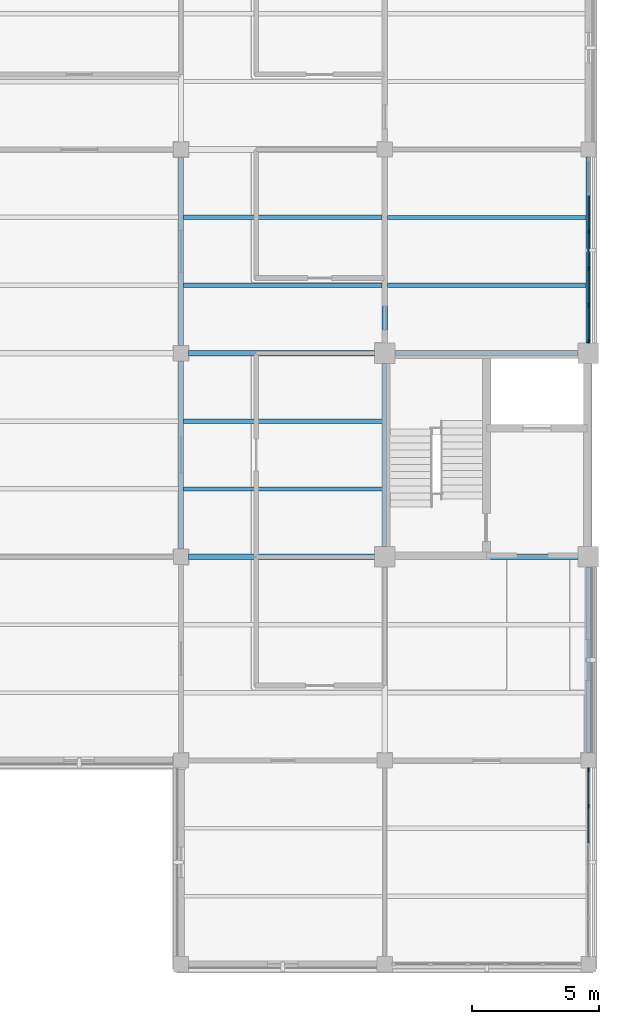
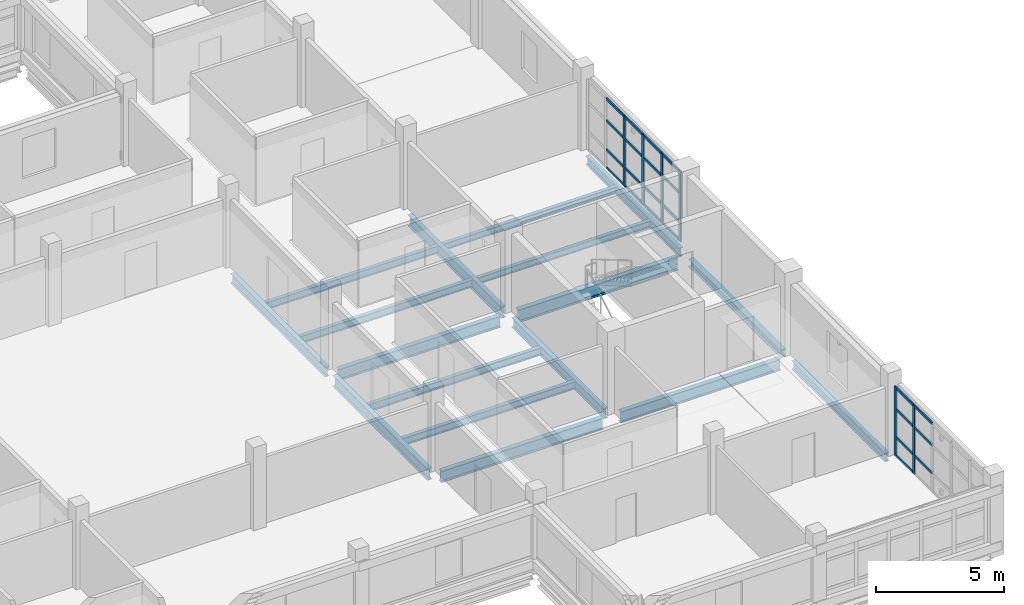
# One storey, part 48 of 126: 29 members, 17 beams, 2 elements without a shape of their own.
"""IFC4 building model written with IfcOpenShell, lengths in metres."""

from ifc_helpers import new_model, si_unit, derived_unit, direction, frame, origin, origin_2d, place, context, subcontext, project, spatial, rectangle, i_section, extrude, material, layer, layer_set, material_profile, profile_set, type_object, element, aggregate, save


model = new_model("IFC4")

# Units and contexts
model_context = context("Model", 3, precision=1e-05, world=origin(), true_north=direction((0.0, 1.0)))
body_context = subcontext(model_context, "Body", "Model", "MODEL_VIEW")
ifc_project = project(units=[si_unit("LENGTHUNIT", "METRE"), si_unit("AREAUNIT", "SQUARE_METRE"), si_unit("VOLUMEUNIT", "CUBIC_METRE"), si_unit("PLANEANGLEUNIT", "RADIAN"), si_unit("MASSUNIT", "GRAM", prefix="KILO"), derived_unit("THERMALTRANSMITTANCEUNIT", [(si_unit("MASSUNIT", "GRAM", prefix="KILO"), 1), (si_unit("TIMEUNIT", "SECOND"), -3), (si_unit("THERMODYNAMICTEMPERATUREUNIT", "KELVIN"), -1)])], contexts=[model_context])

# Site, building, storey
site_placement = place(None, origin())
site = spatial("IfcSite", under=ifc_project, at=site_placement, CompositionType="ELEMENT")
building_placement = place(site_placement, origin())
building = spatial("IfcBuilding", under=site, at=building_placement, Name="Veyamyaing Civic Hall", CompositionType="ELEMENT")
storey_placement = place(building_placement, frame((0.0, 0.0, 9.89990234375)))
storey = spatial("IfcBuildingStorey", under=building, at=storey_placement, Name="L02", CompositionType="ELEMENT", Elevation=9.89990234375)

# Beams
ifc_material_1 = material(Name="Steel ASTM A992", Category="steel")
ifc_material_profile_1 = material_profile(ifc_material_1, i_section(OverallWidth=0.22802734375, OverallDepth=0.60791015625, WebThickness=0.01123046875, FlangeThickness=0.017333984375, FilletRadius=0.012939453125, at=origin_2d()), Name="W610X113")
ifc_profile_set_1 = profile_set([ifc_material_profile_1], Name="Steel ASTM A992")
beam_type_1 = type_object("IfcBeamType", Name="B-06", PredefinedType="BEAM", material=ifc_profile_set_1)
beam_1_placement = place(storey_placement, frame((168.39990234375, 24.0, -0.5888671875), z_axis=(1.0, 0.0, 0.0), x_axis=(0.0, 1.0, 0.0)))
element("IfcBeam", 1, at=beam_1_placement, inside=storey, type_object=beam_type_1, Name="Girder B-06 L02 Grid D 22-23", PredefinedType="BEAM", context=body_context, shape_type="SweptSolid", body=[
    extrude(i_section(OverallWidth=0.22802734375, OverallDepth=0.60791015625, WebThickness=0.01123046875, FlangeThickness=0.017333984375, FilletRadius=0.012939453125, at=origin_2d()), origin(), (0.0, 0.0, 1.0), 7.2001953125),
])
ifc_material_profile_2 = material_profile(ifc_material_1, i_section(OverallWidth=0.208984375, OverallDepth=0.532958984375, WebThickness=0.01025390625, FlangeThickness=0.015625, FilletRadius=0.011962890625, at=origin_2d()), Name="W530X92")
ifc_profile_set_2 = profile_set([ifc_material_profile_2], Name="Steel ASTM A992")
beam_type_2 = type_object("IfcBeamType", Name="B-07", PredefinedType="BEAM", material=ifc_profile_set_2)
beam_2_placement = place(storey_placement, frame((168.0, 24.39990234375, -0.551513671875), z_axis=(0.0, 1.0, 0.0), x_axis=(-1.0, 0.0, 0.0)))
element("IfcBeam", 2, at=beam_2_placement, inside=storey, type_object=beam_type_2, Name="Girder B-07 L02 Grid 22 D-E", PredefinedType="BEAM", context=body_context, shape_type="SweptSolid", body=[
    extrude(i_section(OverallWidth=0.208984375, OverallDepth=0.532958984375, WebThickness=0.01025390625, FlangeThickness=0.015625, FilletRadius=0.011962890625, at=origin_2d()), origin(), (0.0, 0.0, 1.0), 7.300048828125),
])
ifc_material_profile_3 = material_profile(ifc_material_1, i_section(OverallWidth=0.179931640625, OverallDepth=0.4130859375, WebThickness=0.009765625, FlangeThickness=0.01611328125, FilletRadius=0.010009765625, at=origin_2d()), Name="W410X74")
ifc_profile_set_3 = profile_set([ifc_material_profile_3], Name="Steel ASTM A992")
beam_type_3 = type_object("IfcBeamType", Name="B-10", PredefinedType="SPANDREL", material=ifc_profile_set_3)
beam_3_placement = place(storey_placement, frame((176.0, 24.39990234375, -0.491455078125), z_axis=(0.0, 1.0, 0.0), x_axis=(-1.0, 0.0, 0.0)))
element("IfcBeam", 3, at=beam_3_placement, inside=storey, type_object=beam_type_3, Name="Girder B-10 L02 Grid 23 D-E", PredefinedType="SPANDREL", context=body_context, shape_type="SweptSolid", body=[
    extrude(i_section(OverallWidth=0.179931640625, OverallDepth=0.4130859375, WebThickness=0.009765625, FlangeThickness=0.01611328125, FilletRadius=0.010009765625, at=origin_2d()), origin(), (0.0, 0.0, 1.0), 7.300048828125),
])
ifc_material_profile_4 = material_profile(ifc_material_1, i_section(OverallWidth=0.214111328125, OverallDepth=0.549072265625, WebThickness=0.0146484375, FlangeThickness=0.023681640625, FilletRadius=0.011962890625, at=origin_2d()), Name="W530X138")
ifc_profile_set_4 = profile_set([ifc_material_profile_4], Name="Steel ASTM A992")
beam_type_4 = type_object("IfcBeamType", Name="B-16", PredefinedType="BEAM", material=ifc_profile_set_4)
beam_4_placement = place(storey_placement, frame((160.300048828125, 16.0, -0.559326171875), z_axis=(1.0, 0.0, 0.0), x_axis=(0.0, 1.0, 0.0)))
element("IfcBeam", 4, at=beam_4_placement, inside=storey, type_object=beam_type_4, Name="Girder B-16 L02 Grid C 21-22", PredefinedType="BEAM", context=body_context, shape_type="SweptSolid", body=[
    extrude(i_section(OverallWidth=0.214111328125, OverallDepth=0.549072265625, WebThickness=0.0146484375, FlangeThickness=0.023681640625, FilletRadius=0.011962890625, at=origin_2d()), origin(), (0.0, 0.0, 1.0), 7.300048828125),
])
ifc_material_profile_5 = material_profile(ifc_material_1, i_section(OverallWidth=0.2109375, OverallDepth=0.5390625, WebThickness=0.01171875, FlangeThickness=0.018798828125, FilletRadius=0.011962890625, at=origin_2d()), Name="W530X109")
ifc_profile_set_5 = profile_set([ifc_material_profile_5], Name="Steel ASTM A992")
beam_type_5 = type_object("IfcBeamType", Name="B-17", PredefinedType="BEAM", material=ifc_profile_set_5)
beam_5_placement = place(storey_placement, frame((168.39990234375, 16.0, -0.554443359375), z_axis=(1.0, 0.0, 0.0), x_axis=(0.0, 1.0, 0.0)))
element("IfcBeam", 5, at=beam_5_placement, inside=storey, type_object=beam_type_5, Name="Girder B-17 L02 Grid C 22-23", PredefinedType="BEAM", context=body_context, shape_type="SweptSolid", body=[
    extrude(i_section(OverallWidth=0.2109375, OverallDepth=0.5390625, WebThickness=0.01171875, FlangeThickness=0.018798828125, FilletRadius=0.011962890625, at=origin_2d()), origin(), (0.0, 0.0, 1.0), 7.2001953125),
])
beam_6_placement = place(storey_placement, frame((160.300048828125, 24.0, -0.554443359375), z_axis=(1.0, 0.0, 0.0), x_axis=(0.0, 1.0, 0.0)))
element("IfcBeam", 6, at=beam_6_placement, inside=storey, type_object=beam_type_5, Name="Girder B-17 L02 Grid D 21-22", PredefinedType="BEAM", context=body_context, shape_type="SweptSolid", body=[
    extrude(i_section(OverallWidth=0.2109375, OverallDepth=0.5390625, WebThickness=0.01171875, FlangeThickness=0.018798828125, FilletRadius=0.011962890625, at=origin_2d()), origin(), (0.0, 0.0, 1.0), 7.300048828125),
])
beam_7_placement = place(storey_placement, frame((160.0, 16.300048828125, -0.554443359375), z_axis=(0.0, 1.0, 0.0), x_axis=(-1.0, 0.0, 0.0)))
element("IfcBeam", 7, at=beam_7_placement, inside=storey, type_object=beam_type_5, Name="Girder B-17 L02 Grid 21 C-D", PredefinedType="BEAM", context=body_context, shape_type="SweptSolid", body=[
    extrude(i_section(OverallWidth=0.2109375, OverallDepth=0.5390625, WebThickness=0.01171875, FlangeThickness=0.018798828125, FilletRadius=0.011962890625, at=origin_2d()), origin(), (0.0, 0.0, 1.0), 7.39990234375),
])
ifc_material_profile_6 = material_profile(ifc_material_1, i_section(OverallWidth=0.194091796875, OverallDepth=0.468994140625, WebThickness=0.0126953125, FlangeThickness=0.0205078125, FilletRadius=0.010009765625, at=origin_2d()), Name="W460X106")
ifc_profile_set_6 = profile_set([ifc_material_profile_6], Name="Steel ASTM A992")
beam_type_6 = type_object("IfcBeamType", Name="B-18", PredefinedType="BEAM", material=ifc_profile_set_6)
beam_8_placement = place(storey_placement, frame((160.0, 24.300048828125, -0.519287109375), z_axis=(0.0, 1.0, 0.0), x_axis=(-1.0, 0.0, 0.0)))
element("IfcBeam", 8, at=beam_8_placement, inside=storey, type_object=beam_type_6, Name="Girder B-18 L02 Grid 21 D-E", PredefinedType="BEAM", context=body_context, shape_type="SweptSolid", body=[
    extrude(i_section(OverallWidth=0.194091796875, OverallDepth=0.468994140625, WebThickness=0.0126953125, FlangeThickness=0.0205078125, FilletRadius=0.010009765625, at=origin_2d()), origin(), (0.0, 0.0, 1.0), 7.39990234375),
])
beam_9_placement = place(storey_placement, frame((168.0, 16.39990234375, -0.519287109375), z_axis=(0.0, 1.0, 0.0), x_axis=(-1.0, 0.0, 0.0)))
element("IfcBeam", 9, at=beam_9_placement, inside=storey, type_object=beam_type_6, Name="Girder B-18 L02 Grid 22 C-D", PredefinedType="BEAM", context=body_context, shape_type="SweptSolid", body=[
    extrude(i_section(OverallWidth=0.194091796875, OverallDepth=0.468994140625, WebThickness=0.0126953125, FlangeThickness=0.0205078125, FilletRadius=0.010009765625, at=origin_2d()), origin(), (0.0, 0.0, 1.0), 7.2001953125),
])
ifc_material_profile_7 = material_profile(ifc_material_1, i_section(OverallWidth=0.180908203125, OverallDepth=0.4169921875, WebThickness=0.010986328125, FlangeThickness=0.018310546875, FilletRadius=0.010009765625, at=origin_2d()), Name="W410X85")
ifc_profile_set_7 = profile_set([ifc_material_profile_7], Name="Steel ASTM A992")
beam_type_7 = type_object("IfcBeamType", Name="B-19", PredefinedType="SPANDREL", material=ifc_profile_set_7)
beam_10_placement = place(storey_placement, frame((176.0, 8.300048828125, -0.493408203125), z_axis=(0.0, 1.0, 0.0), x_axis=(-1.0, 0.0, 0.0)))
element("IfcBeam", 10, at=beam_10_placement, inside=storey, type_object=beam_type_7, Name="Girder B-19 L02 Grid 23 B-C", PredefinedType="SPANDREL", context=body_context, shape_type="SweptSolid", body=[
    extrude(i_section(OverallWidth=0.180908203125, OverallDepth=0.4169921875, WebThickness=0.010986328125, FlangeThickness=0.018310546875, FilletRadius=0.010009765625, at=origin_2d()), origin(), (0.0, 0.0, 1.0), 7.300048828125),
])
ifc_material_profile_8 = material_profile(ifc_material_1, i_section(OverallWidth=0.25390625, OverallDepth=0.35302734375, WebThickness=0.009521484375, FlangeThickness=0.016357421875, FilletRadius=0.011962890625, at=origin_2d()), Name="W360X91")
ifc_profile_set_8 = profile_set([ifc_material_profile_8], Name="Steel ASTM A992")
beam_type_8 = type_object("IfcBeamType", Name="B-20", PredefinedType="SPANDREL", material=ifc_profile_set_8)
beam_11_placement = place(storey_placement, frame((176.0, 16.39990234375, -0.46142578125), z_axis=(0.0, 1.0, 0.0), x_axis=(-1.0, 0.0, 0.0)))
element("IfcBeam", 11, at=beam_11_placement, inside=storey, type_object=beam_type_8, Name="Girder B-20 L02 Grid 23 C-D", PredefinedType="SPANDREL", context=body_context, shape_type="SweptSolid", body=[
    extrude(i_section(OverallWidth=0.25390625, OverallDepth=0.35302734375, WebThickness=0.009521484375, FlangeThickness=0.016357421875, FilletRadius=0.011962890625, at=origin_2d()), origin(), (0.0, 0.0, 1.0), 7.2001953125),
])

# Curtain wall, members
ifc_material_2 = material(Name="Anodised aluminium 6063-T6", Category="aluminium")
ifc_layer = layer(ifc_material_2, 0.159912109375, Name="Anodised aluminium 6063-T6")
ifc_layer_set = layer_set([ifc_layer], Name="Anodised aluminium 6063-T6")
curtain_wall_type = type_object("IfcCurtainWallType", Name="CW-03", PredefinedType="NOTDEFINED", material=ifc_layer_set)
curtain_wall_1_placement = place(storey_placement, origin())
curtain_wall_1 = element("IfcCurtainWall", 12, at=curtain_wall_1_placement, inside=storey, type_object=curtain_wall_type, Name="Unitized curtain wall CW-03 L02 E 22.1", PredefinedType="NOTDEFINED")
ifc_material_profile_9 = material_profile(ifc_material_2, rectangle(XDim=0.06494140625, YDim=0.159912109375, at=origin_2d()), Name="ALU-MUL-65X160")
ifc_profile_set_9 = profile_set([ifc_material_profile_9], Name="Anodised aluminium 6063-T6")
member_type_1 = type_object("IfcMemberType", Name="CWM-01", PredefinedType="MULLION", material=ifc_profile_set_9)
member_1_placement = place(storey_placement, frame((176.0, 6.201904296875, 0.0), z_axis=(0.0, 0.0, 1.0), x_axis=(-1.0, 0.0, 0.0)))
member_1 = element("IfcMember", 13, at=member_1_placement, type_object=member_type_1, Name="CW-03 mullion 5", PredefinedType="MULLION", context=body_context, shape_type="SweptSolid", body=[
    extrude(rectangle(XDim=0.06494140625, YDim=0.159912109375, at=origin_2d()), origin(), (0.0, 0.0, 1.0), 3.280029296875),
])
member_2_placement = place(storey_placement, frame((176.0, 7.637451171875, 0.0), z_axis=(0.0, 0.0, 1.0), x_axis=(-1.0, 0.0, 0.0)))
member_2 = element("IfcMember", 14, at=member_2_placement, type_object=member_type_1, Name="CW-03 mullion 6", PredefinedType="MULLION", context=body_context, shape_type="SweptSolid", body=[
    extrude(rectangle(XDim=0.06494140625, YDim=0.159912109375, at=origin_2d()), origin(), (0.0, 0.0, 1.0), 3.280029296875),
])

curtain_wall_2_placement = place(storey_placement, origin())
curtain_wall_2 = element("IfcCurtainWall", 15, at=curtain_wall_2_placement, inside=storey, type_object=curtain_wall_type, Name="Unitized curtain wall CW-03 L02 E 22.4", PredefinedType="NOTDEFINED")
member_3_placement = place(storey_placement, frame((176.0, 24.46240234375, 0.0), z_axis=(0.0, 0.0, 1.0), x_axis=(-1.0, 0.0, 0.0)))
member_3 = element("IfcMember", 16, at=member_3_placement, type_object=member_type_1, Name="CW-03 mullion 1", PredefinedType="MULLION", context=body_context, shape_type="SweptSolid", body=[
    extrude(rectangle(XDim=0.06494140625, YDim=0.159912109375, at=origin_2d()), origin(), (0.0, 0.0, 1.0), 3.34716796875),
])
member_4_placement = place(storey_placement, frame((176.0, 25.8779296875, 0.0), z_axis=(0.0, 0.0, 1.0), x_axis=(-1.0, 0.0, 0.0)))
member_4 = element("IfcMember", 17, at=member_4_placement, type_object=member_type_1, Name="CW-03 mullion 2", PredefinedType="MULLION", context=body_context, shape_type="SweptSolid", body=[
    extrude(rectangle(XDim=0.06494140625, YDim=0.159912109375, at=origin_2d()), origin(), (0.0, 0.0, 1.0), 3.34716796875),
])
member_5_placement = place(storey_placement, frame((176.0, 27.325927734375, 0.0), z_axis=(0.0, 0.0, 1.0), x_axis=(-1.0, 0.0, 0.0)))
member_5 = element("IfcMember", 18, at=member_5_placement, type_object=member_type_1, Name="CW-03 mullion 3", PredefinedType="MULLION", context=body_context, shape_type="SweptSolid", body=[
    extrude(rectangle(XDim=0.06494140625, YDim=0.159912109375, at=origin_2d()), origin(), (0.0, 0.0, 1.0), 3.34716796875),
])
member_6_placement = place(storey_placement, frame((176.0, 28.77392578125, 0.0), z_axis=(0.0, 0.0, 1.0), x_axis=(-1.0, 0.0, 0.0)))
member_6 = element("IfcMember", 19, at=member_6_placement, type_object=member_type_1, Name="CW-03 mullion 4", PredefinedType="MULLION", context=body_context, shape_type="SweptSolid", body=[
    extrude(rectangle(XDim=0.06494140625, YDim=0.159912109375, at=origin_2d()), origin(), (0.0, 0.0, 1.0), 3.34716796875),
])

# Member
ifc_material_profile_10 = material_profile(ifc_material_2, rectangle(XDim=0.06494140625, YDim=0.1201171875, at=origin_2d()), Name="ALU-TRN-65X120")
ifc_profile_set_10 = profile_set([ifc_material_profile_10], Name="Anodised aluminium 6063-T6")
member_type_2 = type_object("IfcMemberType", Name="CWT-01", PredefinedType="USERDEFINED", material=ifc_profile_set_10)
member_7_placement = place(storey_placement, frame((176.0, 4.7666015625, 0.900146484375), z_axis=(0.0, 1.0, 0.0), x_axis=(-1.0, 0.0, 0.0)))
member_7 = element("IfcMember", 20, at=member_7_placement, type_object=member_type_2, Name="CW-03 transom 4.2", ObjectType="TRANSOM", PredefinedType="USERDEFINED", context=body_context, shape_type="SweptSolid", body=[
    extrude(rectangle(XDim=0.06494140625, YDim=0.1201171875, at=origin_2d()), origin(), (0.0, 0.0, 1.0), 1.40283203125),
])

member_8_placement = place(storey_placement, frame((176.0, 4.7666015625, 2.23046875), z_axis=(0.0, 1.0, 0.0), x_axis=(-1.0, 0.0, 0.0)))
member_8 = element("IfcMember", 21, at=member_8_placement, type_object=member_type_2, Name="CW-03 transom 4.3", ObjectType="TRANSOM", PredefinedType="USERDEFINED", context=body_context, shape_type="SweptSolid", body=[
    extrude(rectangle(XDim=0.06494140625, YDim=0.1201171875, at=origin_2d()), origin(), (0.0, 0.0, 1.0), 1.40283203125),
])

member_9_placement = place(storey_placement, frame((176.0, 4.7666015625, 3.24755859375), z_axis=(0.0, 1.0, 0.0), x_axis=(-1.0, 0.0, 0.0)))
member_9 = element("IfcMember", 22, at=member_9_placement, type_object=member_type_2, Name="CW-03 transom 4.4", ObjectType="TRANSOM", PredefinedType="USERDEFINED", context=body_context, shape_type="SweptSolid", body=[
    extrude(rectangle(XDim=0.06494140625, YDim=0.1201171875, at=origin_2d()), origin(), (0.0, 0.0, 1.0), 1.40283203125),
])

member_10_placement = place(storey_placement, frame((176.0, 6.234619140625, 0.03271484375), z_axis=(0.0, 1.0, 0.0), x_axis=(-1.0, 0.0, 0.0)))
member_10 = element("IfcMember", 23, at=member_10_placement, type_object=member_type_2, Name="CW-03 transom 5.1", ObjectType="TRANSOM", PredefinedType="USERDEFINED", context=body_context, shape_type="SweptSolid", body=[
    extrude(rectangle(XDim=0.06494140625, YDim=0.1201171875, at=origin_2d()), origin(), (0.0, 0.0, 1.0), 1.370361328125),
])

member_11_placement = place(storey_placement, frame((176.0, 6.234619140625, 0.900146484375), z_axis=(0.0, 1.0, 0.0), x_axis=(-1.0, 0.0, 0.0)))
member_11 = element("IfcMember", 24, at=member_11_placement, type_object=member_type_2, Name="CW-03 transom 5.2", ObjectType="TRANSOM", PredefinedType="USERDEFINED", context=body_context, shape_type="SweptSolid", body=[
    extrude(rectangle(XDim=0.06494140625, YDim=0.1201171875, at=origin_2d()), origin(), (0.0, 0.0, 1.0), 1.370361328125),
])

member_12_placement = place(storey_placement, frame((176.0, 6.234619140625, 2.23046875), z_axis=(0.0, 1.0, 0.0), x_axis=(-1.0, 0.0, 0.0)))
member_12 = element("IfcMember", 25, at=member_12_placement, type_object=member_type_2, Name="CW-03 transom 5.3", ObjectType="TRANSOM", PredefinedType="USERDEFINED", context=body_context, shape_type="SweptSolid", body=[
    extrude(rectangle(XDim=0.06494140625, YDim=0.1201171875, at=origin_2d()), origin(), (0.0, 0.0, 1.0), 1.370361328125),
])

member_13_placement = place(storey_placement, frame((176.0, 6.234619140625, 3.24755859375), z_axis=(0.0, 1.0, 0.0), x_axis=(-1.0, 0.0, 0.0)))
member_13 = element("IfcMember", 26, at=member_13_placement, type_object=member_type_2, Name="CW-03 transom 5.4", ObjectType="TRANSOM", PredefinedType="USERDEFINED", context=body_context, shape_type="SweptSolid", body=[
    extrude(rectangle(XDim=0.06494140625, YDim=0.1201171875, at=origin_2d()), origin(), (0.0, 0.0, 1.0), 1.370361328125),
])

aggregate(curtain_wall_1, [member_1, member_2, member_7, member_8, member_9, member_10, member_11, member_12, member_13])

member_14_placement = place(storey_placement, frame((176.0, 24.4951171875, 0.03271484375), z_axis=(0.0, 1.0, 0.0), x_axis=(-1.0, 0.0, 0.0)))
member_14 = element("IfcMember", 27, at=member_14_placement, type_object=member_type_2, Name="CW-03 transom 1.1", ObjectType="TRANSOM", PredefinedType="USERDEFINED", context=body_context, shape_type="SweptSolid", body=[
    extrude(rectangle(XDim=0.06494140625, YDim=0.1201171875, at=origin_2d()), origin(), (0.0, 0.0, 1.0), 1.350341796875),
])

member_15_placement = place(storey_placement, frame((176.0, 24.4951171875, 0.900146484375), z_axis=(0.0, 1.0, 0.0), x_axis=(-1.0, 0.0, 0.0)))
member_15 = element("IfcMember", 28, at=member_15_placement, type_object=member_type_2, Name="CW-03 transom 1.2", ObjectType="TRANSOM", PredefinedType="USERDEFINED", context=body_context, shape_type="SweptSolid", body=[
    extrude(rectangle(XDim=0.06494140625, YDim=0.1201171875, at=origin_2d()), origin(), (0.0, 0.0, 1.0), 1.350341796875),
])

member_16_placement = place(storey_placement, frame((176.0, 24.4951171875, 2.276123046875), z_axis=(0.0, 1.0, 0.0), x_axis=(-1.0, 0.0, 0.0)))
member_16 = element("IfcMember", 29, at=member_16_placement, type_object=member_type_2, Name="CW-03 transom 1.3", ObjectType="TRANSOM", PredefinedType="USERDEFINED", context=body_context, shape_type="SweptSolid", body=[
    extrude(rectangle(XDim=0.06494140625, YDim=0.1201171875, at=origin_2d()), origin(), (0.0, 0.0, 1.0), 1.350341796875),
])

member_17_placement = place(storey_placement, frame((176.0, 24.4951171875, 3.314697265625), z_axis=(0.0, 1.0, 0.0), x_axis=(-1.0, 0.0, 0.0)))
member_17 = element("IfcMember", 30, at=member_17_placement, type_object=member_type_2, Name="CW-03 transom 1.4", ObjectType="TRANSOM", PredefinedType="USERDEFINED", context=body_context, shape_type="SweptSolid", body=[
    extrude(rectangle(XDim=0.06494140625, YDim=0.1201171875, at=origin_2d()), origin(), (0.0, 0.0, 1.0), 1.350341796875),
])

member_18_placement = place(storey_placement, frame((176.0, 25.910400390625, 0.03271484375), z_axis=(0.0, 1.0, 0.0), x_axis=(-1.0, 0.0, 0.0)))
member_18 = element("IfcMember", 31, at=member_18_placement, type_object=member_type_2, Name="CW-03 transom 2.1", ObjectType="TRANSOM", PredefinedType="USERDEFINED", context=body_context, shape_type="SweptSolid", body=[
    extrude(rectangle(XDim=0.06494140625, YDim=0.1201171875, at=origin_2d()), origin(), (0.0, 0.0, 1.0), 1.383056640625),
])

member_19_placement = place(storey_placement, frame((176.0, 25.910400390625, 0.900146484375), z_axis=(0.0, 1.0, 0.0), x_axis=(-1.0, 0.0, 0.0)))
member_19 = element("IfcMember", 32, at=member_19_placement, type_object=member_type_2, Name="CW-03 transom 2.2", ObjectType="TRANSOM", PredefinedType="USERDEFINED", context=body_context, shape_type="SweptSolid", body=[
    extrude(rectangle(XDim=0.06494140625, YDim=0.1201171875, at=origin_2d()), origin(), (0.0, 0.0, 1.0), 1.383056640625),
])

member_20_placement = place(storey_placement, frame((176.0, 25.910400390625, 2.276123046875), z_axis=(0.0, 1.0, 0.0), x_axis=(-1.0, 0.0, 0.0)))
member_20 = element("IfcMember", 33, at=member_20_placement, type_object=member_type_2, Name="CW-03 transom 2.3", ObjectType="TRANSOM", PredefinedType="USERDEFINED", context=body_context, shape_type="SweptSolid", body=[
    extrude(rectangle(XDim=0.06494140625, YDim=0.1201171875, at=origin_2d()), origin(), (0.0, 0.0, 1.0), 1.383056640625),
])

member_21_placement = place(storey_placement, frame((176.0, 25.910400390625, 3.314697265625), z_axis=(0.0, 1.0, 0.0), x_axis=(-1.0, 0.0, 0.0)))
member_21 = element("IfcMember", 34, at=member_21_placement, type_object=member_type_2, Name="CW-03 transom 2.4", ObjectType="TRANSOM", PredefinedType="USERDEFINED", context=body_context, shape_type="SweptSolid", body=[
    extrude(rectangle(XDim=0.06494140625, YDim=0.1201171875, at=origin_2d()), origin(), (0.0, 0.0, 1.0), 1.383056640625),
])

member_22_placement = place(storey_placement, frame((176.0, 27.3583984375, 0.03271484375), z_axis=(0.0, 1.0, 0.0), x_axis=(-1.0, 0.0, 0.0)))
member_22 = element("IfcMember", 35, at=member_22_placement, type_object=member_type_2, Name="CW-03 transom 3.1", ObjectType="TRANSOM", PredefinedType="USERDEFINED", context=body_context, shape_type="SweptSolid", body=[
    extrude(rectangle(XDim=0.06494140625, YDim=0.1201171875, at=origin_2d()), origin(), (0.0, 0.0, 1.0), 1.383056640625),
])

member_23_placement = place(storey_placement, frame((176.0, 27.3583984375, 0.900146484375), z_axis=(0.0, 1.0, 0.0), x_axis=(-1.0, 0.0, 0.0)))
member_23 = element("IfcMember", 36, at=member_23_placement, type_object=member_type_2, Name="CW-03 transom 3.2", ObjectType="TRANSOM", PredefinedType="USERDEFINED", context=body_context, shape_type="SweptSolid", body=[
    extrude(rectangle(XDim=0.06494140625, YDim=0.1201171875, at=origin_2d()), origin(), (0.0, 0.0, 1.0), 1.383056640625),
])

member_24_placement = place(storey_placement, frame((176.0, 27.3583984375, 2.276123046875), z_axis=(0.0, 1.0, 0.0), x_axis=(-1.0, 0.0, 0.0)))
member_24 = element("IfcMember", 37, at=member_24_placement, type_object=member_type_2, Name="CW-03 transom 3.3", ObjectType="TRANSOM", PredefinedType="USERDEFINED", context=body_context, shape_type="SweptSolid", body=[
    extrude(rectangle(XDim=0.06494140625, YDim=0.1201171875, at=origin_2d()), origin(), (0.0, 0.0, 1.0), 1.383056640625),
])

member_25_placement = place(storey_placement, frame((176.0, 27.3583984375, 3.314697265625), z_axis=(0.0, 1.0, 0.0), x_axis=(-1.0, 0.0, 0.0)))
member_25 = element("IfcMember", 38, at=member_25_placement, type_object=member_type_2, Name="CW-03 transom 3.4", ObjectType="TRANSOM", PredefinedType="USERDEFINED", context=body_context, shape_type="SweptSolid", body=[
    extrude(rectangle(XDim=0.06494140625, YDim=0.1201171875, at=origin_2d()), origin(), (0.0, 0.0, 1.0), 1.383056640625),
])

member_26_placement = place(storey_placement, frame((176.0, 28.806396484375, 0.03271484375), z_axis=(0.0, 1.0, 0.0), x_axis=(-1.0, 0.0, 0.0)))
member_26 = element("IfcMember", 39, at=member_26_placement, type_object=member_type_2, Name="CW-03 transom 4.1", ObjectType="TRANSOM", PredefinedType="USERDEFINED", context=body_context, shape_type="SweptSolid", body=[
    extrude(rectangle(XDim=0.06494140625, YDim=0.1201171875, at=origin_2d()), origin(), (0.0, 0.0, 1.0), 1.383056640625),
])

member_27_placement = place(storey_placement, frame((176.0, 28.806396484375, 0.900146484375), z_axis=(0.0, 1.0, 0.0), x_axis=(-1.0, 0.0, 0.0)))
member_27 = element("IfcMember", 40, at=member_27_placement, type_object=member_type_2, Name="CW-03 transom 4.2", ObjectType="TRANSOM", PredefinedType="USERDEFINED", context=body_context, shape_type="SweptSolid", body=[
    extrude(rectangle(XDim=0.06494140625, YDim=0.1201171875, at=origin_2d()), origin(), (0.0, 0.0, 1.0), 1.383056640625),
])

member_28_placement = place(storey_placement, frame((176.0, 28.806396484375, 2.276123046875), z_axis=(0.0, 1.0, 0.0), x_axis=(-1.0, 0.0, 0.0)))
member_28 = element("IfcMember", 41, at=member_28_placement, type_object=member_type_2, Name="CW-03 transom 4.3", ObjectType="TRANSOM", PredefinedType="USERDEFINED", context=body_context, shape_type="SweptSolid", body=[
    extrude(rectangle(XDim=0.06494140625, YDim=0.1201171875, at=origin_2d()), origin(), (0.0, 0.0, 1.0), 1.383056640625),
])

member_29_placement = place(storey_placement, frame((176.0, 28.806396484375, 3.314697265625), z_axis=(0.0, 1.0, 0.0), x_axis=(-1.0, 0.0, 0.0)))
member_29 = element("IfcMember", 42, at=member_29_placement, type_object=member_type_2, Name="CW-03 transom 4.4", ObjectType="TRANSOM", PredefinedType="USERDEFINED", context=body_context, shape_type="SweptSolid", body=[
    extrude(rectangle(XDim=0.06494140625, YDim=0.1201171875, at=origin_2d()), origin(), (0.0, 0.0, 1.0), 1.383056640625),
])

aggregate(curtain_wall_2, [member_3, member_4, member_5, member_6, member_14, member_15, member_16, member_17, member_18, member_19, member_20, member_21, member_22, member_23, member_24, member_25, member_26, member_27, member_28, member_29])

# Beams
ifc_material_profile_11 = material_profile(ifc_material_1, i_section(OverallWidth=0.172119140625, OverallDepth=0.35791015625, WebThickness=0.0078125, FlangeThickness=0.01318359375, FilletRadius=0.010009765625, at=origin_2d()), Name="W360X57")
ifc_profile_set_11 = profile_set([ifc_material_profile_11], Name="Steel ASTM A992")
beam_type_9 = type_object("IfcBeamType", Name="J-02", PredefinedType="JOIST", material=ifc_profile_set_11)
for number, where, z_axis, x_axis, name in (
    (43, (160.103515625, 18.666748046875, -0.4638671875), (1.0, 0.0, 0.0), (0.0, 1.0, 0.0), "Composite floor joist J-02 L02 21.3.1"),
    (44, (160.103515625, 21.333251953125, -0.4638671875), (1.0, 0.0, 0.0), (0.0, 1.0, 0.0), "Composite floor joist J-02 L02 21.3.2"),
):
    element("IfcBeam", number, at=place(storey_placement, frame(where, z_axis=z_axis, x_axis=x_axis)), inside=storey, type_object=beam_type_9, Name=name, PredefinedType="JOIST", context=body_context, shape_type="SweptSolid", body=[
        extrude(i_section(OverallWidth=0.172119140625, OverallDepth=0.35791015625, WebThickness=0.0078125, FlangeThickness=0.01318359375, FilletRadius=0.010009765625, at=origin_2d()), origin(), (0.0, 0.0, 1.0), 7.801513671875),
    ])
ifc_material_profile_12 = material_profile(ifc_material_1, i_section(OverallWidth=0.1708984375, OverallDepth=0.35205078125, WebThickness=0.0068359375, FlangeThickness=0.009765625, FilletRadius=0.010009765625, at=origin_2d()), Name="W360X44")
ifc_profile_set_12 = profile_set([ifc_material_profile_12], Name="Steel ASTM A992")
beam_type_10 = type_object("IfcBeamType", Name="J-03", PredefinedType="JOIST", material=ifc_profile_set_12)
for number, where, z_axis, x_axis, name in (
    (45, (160.094970703125, 26.666748046875, -0.4609375), (1.0, 0.0, 0.0), (0.0, 1.0, 0.0), "Composite floor joist J-03 L02 21.4.1"),
    (46, (160.094970703125, 29.333251953125, -0.4609375), (1.0, 0.0, 0.0), (0.0, 1.0, 0.0), "Composite floor joist J-03 L02 21.4.2"),
):
    element("IfcBeam", number, at=place(storey_placement, frame(where, z_axis=z_axis, x_axis=x_axis)), inside=storey, type_object=beam_type_10, Name=name, PredefinedType="JOIST", context=body_context, shape_type="SweptSolid", body=[
        extrude(i_section(OverallWidth=0.1708984375, OverallDepth=0.35205078125, WebThickness=0.0068359375, FlangeThickness=0.009765625, FilletRadius=0.010009765625, at=origin_2d()), origin(), (0.0, 0.0, 1.0), 7.802490234375),
    ])
ifc_material_profile_13 = material_profile(ifc_material_1, i_section(OverallWidth=0.1669921875, OverallDepth=0.318115234375, WebThickness=0.007568359375, FlangeThickness=0.01318359375, FilletRadius=0.010009765625, at=origin_2d()), Name="W310X52")
ifc_profile_set_13 = profile_set([ifc_material_profile_13], Name="Steel ASTM A992")
beam_type_11 = type_object("IfcBeamType", Name="J-04", PredefinedType="JOIST", material=ifc_profile_set_13)
for number, where, z_axis, x_axis, name in (
    (47, (168.1025390625, 26.666748046875, -0.44384765625), (1.0, 0.0, 0.0), (0.0, 1.0, 0.0), "Composite floor joist J-04 L02 22.4.1"),
    (48, (168.1025390625, 29.333251953125, -0.44384765625), (1.0, 0.0, 0.0), (0.0, 1.0, 0.0), "Composite floor joist J-04 L02 22.4.2"),
):
    element("IfcBeam", number, at=place(storey_placement, frame(where, z_axis=z_axis, x_axis=x_axis)), inside=storey, type_object=beam_type_11, Name=name, PredefinedType="JOIST", context=body_context, shape_type="SweptSolid", body=[
        extrude(i_section(OverallWidth=0.1669921875, OverallDepth=0.318115234375, WebThickness=0.007568359375, FlangeThickness=0.01318359375, FilletRadius=0.010009765625, at=origin_2d()), origin(), (0.0, 0.0, 1.0), 7.8095703125),
    ])

save(model, "model.ifc")
